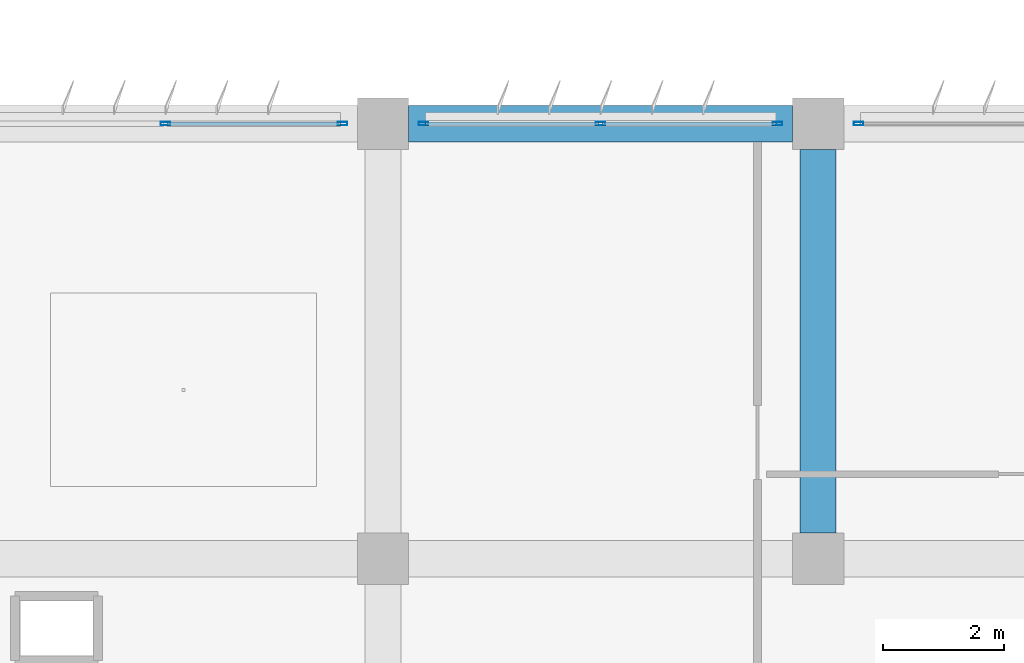
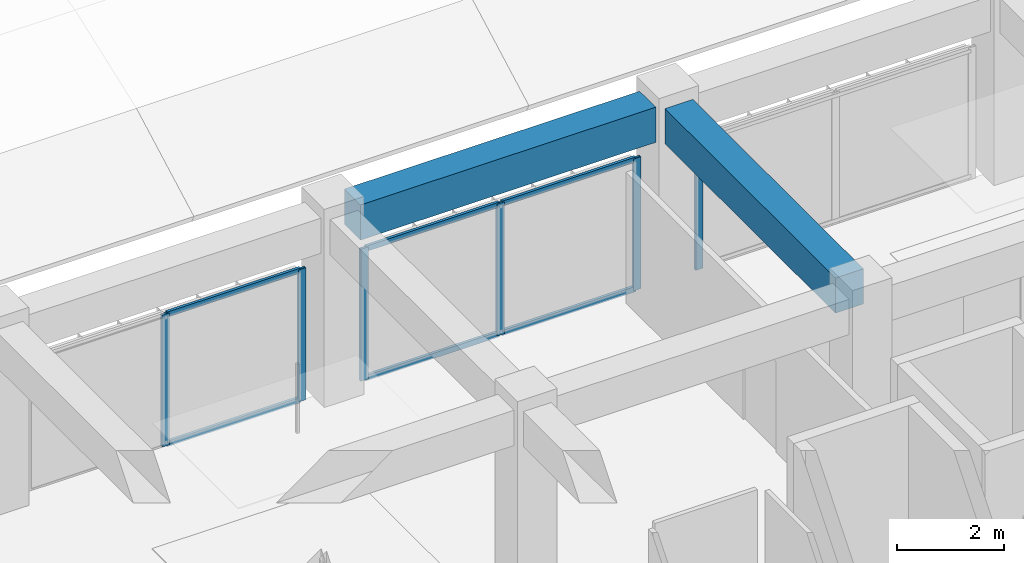
# One storey, part 22 of 56: 12 members, 2 beams, 3 elements without a shape of their own.
"""IFC4 building model written with IfcOpenShell, lengths in metres."""

from ifc_helpers import new_model, si_unit, direction, frame, origin, origin_2d, place, context, subcontext, project, spatial, rectangle, hollow_rectangle, extrude, material, material_profile, profile_set, type_object, element, aggregate, save


model = new_model("IFC4")

# Units and contexts
model_context = context("Model", 3, precision=1e-05, world=origin(), true_north=direction((0.0, 1.0)))
body_context = subcontext(model_context, "Body", "Model", "MODEL_VIEW")
ifc_project = project(units=[si_unit("LENGTHUNIT", "METRE"), si_unit("AREAUNIT", "SQUARE_METRE"), si_unit("VOLUMEUNIT", "CUBIC_METRE"), si_unit("PLANEANGLEUNIT", "RADIAN"), si_unit("MASSUNIT", "GRAM", prefix="KILO")], contexts=[model_context])

# Site, building, storey
site_placement = place(None, origin())
site = spatial("IfcSite", under=ifc_project, at=site_placement, CompositionType="ELEMENT")
building_placement = place(site_placement, origin())
building = spatial("IfcBuilding", under=site, at=building_placement, Name="Kazehaya Institute of Natural Sciences", CompositionType="ELEMENT")
storey_placement = place(building_placement, frame((0.0, 0.0, 24.300048828125)))
storey = spatial("IfcBuildingStorey", under=building, at=storey_placement, Name="L05", CompositionType="ELEMENT", Elevation=24.300048828125)

# Beams
ifc_material_1 = material(Name="Concrete Fc36", Category="concrete")
ifc_material_profile_1 = material_profile(ifc_material_1, rectangle(XDim=0.60009765625, YDim=0.800048828125, at=origin_2d()), Name="RC-600x800")
ifc_profile_set_1 = profile_set([ifc_material_profile_1], Name="Concrete Fc36")
beam_type = type_object("IfcBeamType", Name="BM-G-600x800", PredefinedType="BEAM", material=ifc_profile_set_1)
for number, where, z_axis, x_axis, name in (
    (1, (91.02490234375, 35.60009765625, 3.829833984375), (1.0, 0.0, 0.0), (0.0, 1.0, 0.0), "L05 primary X girder BMX-L05-906-356"),
    (2, (97.800048828125, 28.824951171875, 3.829833984375), (0.0, 1.0, 0.0), (-1.0, 0.0, 0.0), "L05 primary Y girder BMY-L05-978-284"),
):
    element("IfcBeam", number, at=place(storey_placement, frame(where, z_axis=z_axis, x_axis=x_axis)), inside=storey, type_object=beam_type, Name=name, PredefinedType="BEAM", context=body_context, shape_type="SweptSolid", body=[
        extrude(rectangle(XDim=0.60009765625, YDim=0.800048828125, at=origin_2d()), origin(), (0.0, 0.0, 1.0), 6.35009765625),
    ])

# Curtain wall, members
ifc_material_2 = material(Name="Aluminium alloy A6063S-T5", Category="aluminium")
curtain_wall_type = type_object("IfcCurtainWallType", Name="CW-SYS-04", PredefinedType="NOTDEFINED", material=ifc_material_2)
curtain_wall_1_placement = place(storey_placement, origin())
curtain_wall_1 = element("IfcCurtainWall", 3, at=curtain_wall_1_placement, inside=storey, type_object=curtain_wall_type, Name="L05 unitised curtain wall CW-L05-107", PredefinedType="NOTDEFINED")
ifc_material_profile_2 = material_profile(ifc_material_2, hollow_rectangle(XDim=0.06005859375, YDim=0.159912109375, WallThickness=0.00390625, at=origin_2d()), Name="ALU-60x160x4")
ifc_profile_set_2 = profile_set([ifc_material_profile_2], Name="Aluminium alloy A6063S-T5")
member_type_1 = type_object("IfcMemberType", Name="CWM-160", PredefinedType="MULLION", material=ifc_profile_set_2)
member_1_placement = place(storey_placement, frame((87.0, 35.60009765625, 0.0), z_axis=(0.0, 0.0, 1.0), x_axis=(0.0, 1.0, 0.0)))
member_1 = element("IfcMember", 4, at=member_1_placement, type_object=member_type_1, Name="CW04 mullion 2", PredefinedType="MULLION", context=body_context, shape_type="SweptSolid", body=[
    extrude(hollow_rectangle(XDim=0.06005859375, YDim=0.159912109375, WallThickness=0.00390625, at=origin_2d()), origin(), (0.0, 0.0, 1.0), 3.0),
])
member_2_placement = place(storey_placement, frame((89.929931640625, 35.60009765625, 0.0), z_axis=(0.0, 0.0, 1.0), x_axis=(0.0, 1.0, 0.0)))
member_2 = element("IfcMember", 5, at=member_2_placement, type_object=member_type_1, Name="CW04 mullion 3", PredefinedType="MULLION", context=body_context, shape_type="SweptSolid", body=[
    extrude(hollow_rectangle(XDim=0.06005859375, YDim=0.159912109375, WallThickness=0.00390625, at=origin_2d()), origin(), (0.0, 0.0, 1.0), 3.0),
])

curtain_wall_2_placement = place(storey_placement, origin())
curtain_wall_2 = element("IfcCurtainWall", 6, at=curtain_wall_2_placement, inside=storey, type_object=curtain_wall_type, Name="L05 unitised curtain wall CW-L05-108", PredefinedType="NOTDEFINED")
member_3_placement = place(storey_placement, frame((91.27001953125, 35.60009765625, 0.0), z_axis=(0.0, 0.0, 1.0), x_axis=(0.0, 1.0, 0.0)))
member_3 = element("IfcMember", 7, at=member_3_placement, type_object=member_type_1, Name="CW04 mullion 1", PredefinedType="MULLION", context=body_context, shape_type="SweptSolid", body=[
    extrude(hollow_rectangle(XDim=0.06005859375, YDim=0.159912109375, WallThickness=0.00390625, at=origin_2d()), origin(), (0.0, 0.0, 1.0), 3.0),
])
member_4_placement = place(storey_placement, frame((94.199951171875, 35.60009765625, 0.0), z_axis=(0.0, 0.0, 1.0), x_axis=(0.0, 1.0, 0.0)))
member_4 = element("IfcMember", 8, at=member_4_placement, type_object=member_type_1, Name="CW04 mullion 2", PredefinedType="MULLION", context=body_context, shape_type="SweptSolid", body=[
    extrude(hollow_rectangle(XDim=0.06005859375, YDim=0.159912109375, WallThickness=0.00390625, at=origin_2d()), origin(), (0.0, 0.0, 1.0), 3.0),
])
member_5_placement = place(storey_placement, frame((97.1298828125, 35.60009765625, 0.0), z_axis=(0.0, 0.0, 1.0), x_axis=(0.0, 1.0, 0.0)))
member_5 = element("IfcMember", 9, at=member_5_placement, type_object=member_type_1, Name="CW04 mullion 3", PredefinedType="MULLION", context=body_context, shape_type="SweptSolid", body=[
    extrude(hollow_rectangle(XDim=0.06005859375, YDim=0.159912109375, WallThickness=0.00390625, at=origin_2d()), origin(), (0.0, 0.0, 1.0), 3.0),
])

# Curtain wall, member
curtain_wall_3_placement = place(storey_placement, origin())
curtain_wall_3 = element("IfcCurtainWall", 10, at=curtain_wall_3_placement, inside=storey, type_object=curtain_wall_type, Name="L05 unitised curtain wall CW-L05-109", PredefinedType="NOTDEFINED")
member_6_placement = place(storey_placement, frame((98.469970703125, 35.60009765625, 0.0), z_axis=(0.0, 0.0, 1.0), x_axis=(0.0, 1.0, 0.0)))
member_6 = element("IfcMember", 11, at=member_6_placement, type_object=member_type_1, Name="CW04 mullion 1", PredefinedType="MULLION", context=body_context, shape_type="SweptSolid", body=[
    extrude(hollow_rectangle(XDim=0.06005859375, YDim=0.159912109375, WallThickness=0.00390625, at=origin_2d()), origin(), (0.0, 0.0, 1.0), 3.0),
])
aggregate(curtain_wall_3, [member_6])

# Member
ifc_material_profile_3 = material_profile(ifc_material_2, hollow_rectangle(XDim=0.06005859375, YDim=0.1201171875, WallThickness=0.00341796875, at=origin_2d()), Name="ALU-60x120x3.5")
ifc_profile_set_3 = profile_set([ifc_material_profile_3], Name="Aluminium alloy A6063S-T5")
member_type_2 = type_object("IfcMemberType", Name="CWT-120", PredefinedType="USERDEFINED", material=ifc_profile_set_3)
member_7_placement = place(storey_placement, frame((87.030029296875, 35.60009765625, 0.030029296875), z_axis=(1.0, 0.0, 0.0), x_axis=(0.0, 1.0, 0.0)))
member_7 = element("IfcMember", 12, at=member_7_placement, type_object=member_type_2, Name="CW04 transom 2.1", ObjectType="TRANSOM", PredefinedType="USERDEFINED", context=body_context, shape_type="SweptSolid", body=[
    extrude(hollow_rectangle(XDim=0.06005859375, YDim=0.1201171875, WallThickness=0.00341796875, at=origin_2d()), origin(), (0.0, 0.0, 1.0), 2.869873046875),
])

member_8_placement = place(storey_placement, frame((87.030029296875, 35.60009765625, 2.969970703125), z_axis=(1.0, 0.0, 0.0), x_axis=(0.0, 1.0, 0.0)))
member_8 = element("IfcMember", 13, at=member_8_placement, type_object=member_type_2, Name="CW04 transom 2.2", ObjectType="TRANSOM", PredefinedType="USERDEFINED", context=body_context, shape_type="SweptSolid", body=[
    extrude(hollow_rectangle(XDim=0.06005859375, YDim=0.1201171875, WallThickness=0.00341796875, at=origin_2d()), origin(), (0.0, 0.0, 1.0), 2.869873046875),
])

aggregate(curtain_wall_1, [member_1, member_2, member_7, member_8])

member_9_placement = place(storey_placement, frame((91.300048828125, 35.60009765625, 0.030029296875), z_axis=(1.0, 0.0, 0.0), x_axis=(0.0, 1.0, 0.0)))
member_9 = element("IfcMember", 14, at=member_9_placement, type_object=member_type_2, Name="CW04 transom 1.1", ObjectType="TRANSOM", PredefinedType="USERDEFINED", context=body_context, shape_type="SweptSolid", body=[
    extrude(hollow_rectangle(XDim=0.06005859375, YDim=0.1201171875, WallThickness=0.00341796875, at=origin_2d()), origin(), (0.0, 0.0, 1.0), 2.869873046875),
])

member_10_placement = place(storey_placement, frame((91.300048828125, 35.60009765625, 2.969970703125), z_axis=(1.0, 0.0, 0.0), x_axis=(0.0, 1.0, 0.0)))
member_10 = element("IfcMember", 15, at=member_10_placement, type_object=member_type_2, Name="CW04 transom 1.2", ObjectType="TRANSOM", PredefinedType="USERDEFINED", context=body_context, shape_type="SweptSolid", body=[
    extrude(hollow_rectangle(XDim=0.06005859375, YDim=0.1201171875, WallThickness=0.00341796875, at=origin_2d()), origin(), (0.0, 0.0, 1.0), 2.869873046875),
])

member_11_placement = place(storey_placement, frame((94.22998046875, 35.60009765625, 0.030029296875), z_axis=(1.0, 0.0, 0.0), x_axis=(0.0, 1.0, 0.0)))
member_11 = element("IfcMember", 16, at=member_11_placement, type_object=member_type_2, Name="CW04 transom 2.1", ObjectType="TRANSOM", PredefinedType="USERDEFINED", context=body_context, shape_type="SweptSolid", body=[
    extrude(hollow_rectangle(XDim=0.06005859375, YDim=0.1201171875, WallThickness=0.00341796875, at=origin_2d()), origin(), (0.0, 0.0, 1.0), 2.8701171875),
])

member_12_placement = place(storey_placement, frame((94.22998046875, 35.60009765625, 2.969970703125), z_axis=(1.0, 0.0, 0.0), x_axis=(0.0, 1.0, 0.0)))
member_12 = element("IfcMember", 17, at=member_12_placement, type_object=member_type_2, Name="CW04 transom 2.2", ObjectType="TRANSOM", PredefinedType="USERDEFINED", context=body_context, shape_type="SweptSolid", body=[
    extrude(hollow_rectangle(XDim=0.06005859375, YDim=0.1201171875, WallThickness=0.00341796875, at=origin_2d()), origin(), (0.0, 0.0, 1.0), 2.8701171875),
])

aggregate(curtain_wall_2, [member_3, member_4, member_5, member_9, member_10, member_11, member_12])

save(model, "model.ifc")
